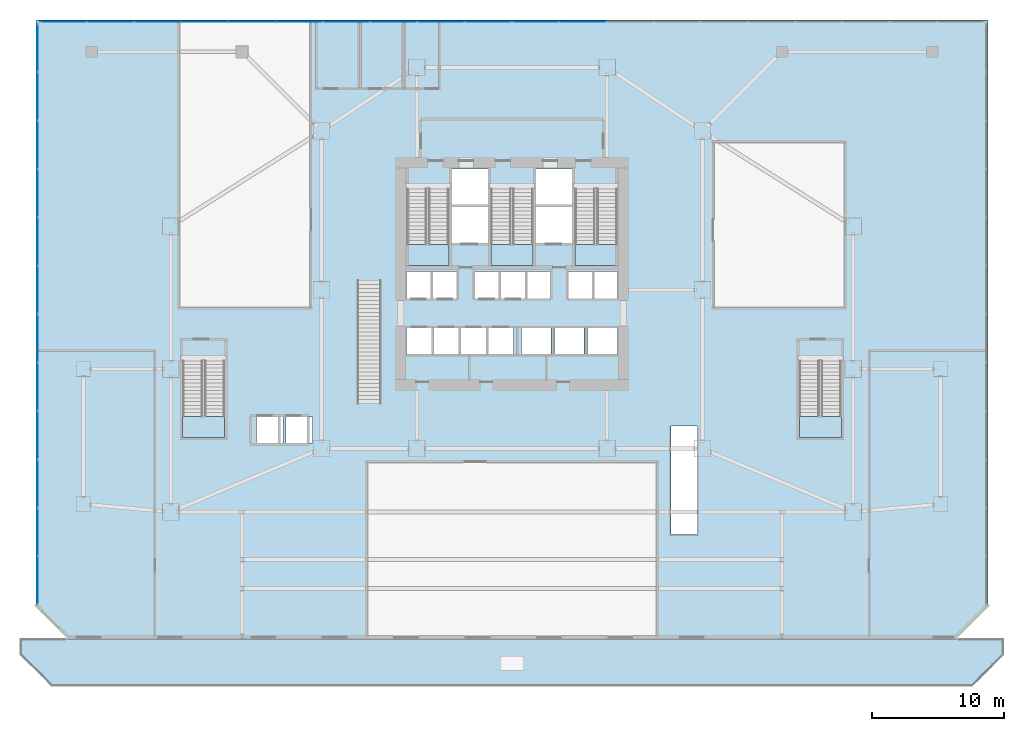
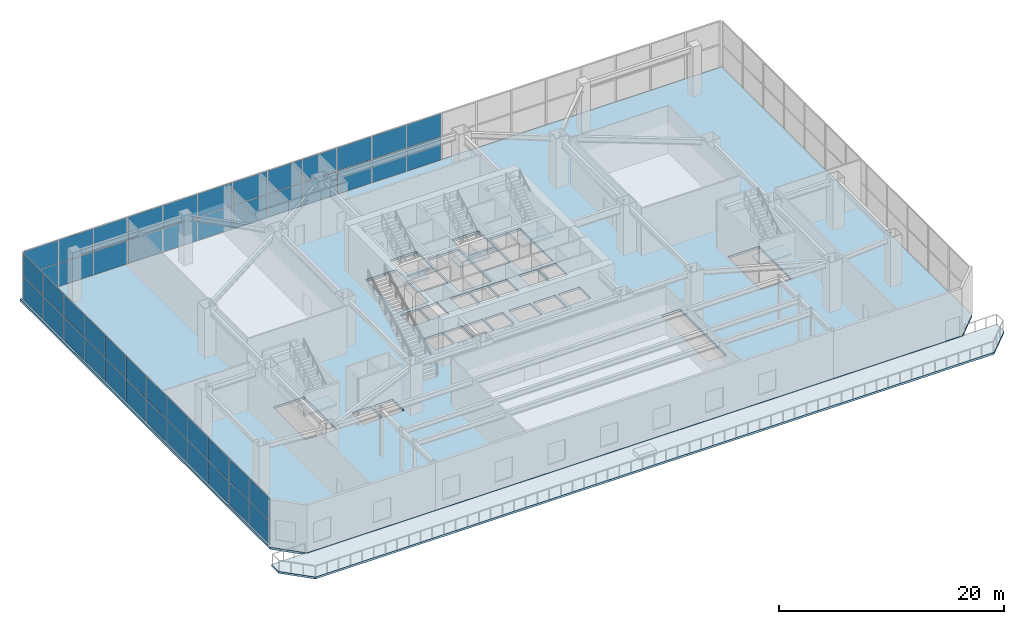
# One storey, part 26 of 37: 48 plates, 7 slabs, 7 elements without a shape of their own.
"""IFC4 building model written with IfcOpenShell, lengths in metres."""

from ifc_helpers import new_model, si_unit, direction, frame, origin, origin_2d, place, context, subcontext, project, spatial, polyline, rectangle, outline, extrude, material, layer, layer_set, type_object, element, aggregate, save


model = new_model("IFC4")

# Units and contexts
model_context = context("Model", 3, precision=1e-05, world=origin(), true_north=direction((0.0, 1.0)))
body_context = subcontext(model_context, "Body", "Model", "MODEL_VIEW")
ifc_project = project(units=[si_unit("LENGTHUNIT", "METRE"), si_unit("AREAUNIT", "SQUARE_METRE"), si_unit("VOLUMEUNIT", "CUBIC_METRE"), si_unit("PLANEANGLEUNIT", "RADIAN"), si_unit("MASSUNIT", "GRAM", prefix="KILO")], contexts=[model_context])

# Site, building, storey
site_placement = place(None, origin())
site = spatial("IfcSite", under=ifc_project, at=site_placement, CompositionType="ELEMENT")
building_placement = place(site_placement, origin())
building = spatial("IfcBuilding", under=site, at=building_placement, Name="Haolan Belvedere Tower", CompositionType="ELEMENT")
storey_placement = place(building_placement, frame((0.0, 0.0, 10.199951171875)))
storey = spatial("IfcBuildingStorey", under=building, at=storey_placement, Name="L02", CompositionType="ELEMENT", Elevation=10.199951171875)

# Curtain wall, plates
ifc_material_1 = material(Name="Anodised champagne-silver aluminium 6063-T6 and Low-E glass", Category="aluminium")
ifc_layer_1 = layer(ifc_material_1, 0.179931640625, Name="Anodised champagne-silver aluminium 6063-T6 and Low-E glass")
ifc_layer_set_1 = layer_set([ifc_layer_1], Name="Anodised champagne-silver aluminium 6063-T6 and Low-E glass")
curtain_wall_type = type_object("IfcCurtainWallType", Name="CW-SYS-01", PredefinedType="NOTDEFINED", material=ifc_layer_set_1)
curtain_wall_1_placement = place(storey_placement, origin())
curtain_wall_1 = element("IfcCurtainWall", 1, at=curtain_wall_1_placement, inside=storey, type_object=curtain_wall_type, Name="L02 CW-SYS-01 ribbon curtain wall 3.1", PredefinedType="NOTDEFINED")
ifc_material_2 = material(Name="Double silver Low-E laminated insulating glass", Category="glass")
ifc_layer_2 = layer(ifc_material_2, 0.028076171875, Name="Double silver Low-E laminated insulating glass")
ifc_layer_set_2 = layer_set([ifc_layer_2], Name="Double silver Low-E laminated insulating glass")
plate_type = type_object("IfcPlateType", Name="CW-SYS-01-PNL", PredefinedType="CURTAIN_PANEL", material=ifc_layer_set_2)
plate_1_placement = place(storey_placement, frame((43.759521484375, 53.8701171875, 0.06005859375), z_axis=(0.0, 0.0, 1.0), x_axis=(-1.0, 0.0, 0.0)))
plate_1 = element("IfcPlate", 2, at=plate_1_placement, type_object=plate_type, Name="CW-01 panel 9.1", PredefinedType="CURTAIN_PANEL", context=body_context, shape_type="SweptSolid", body=[
    extrude(rectangle(XDim=3.508056640625, YDim=0.028076171875, at=origin_2d()), origin(), (0.0, 0.0, 1.0), 2.489990234375),
])
plate_2_placement = place(storey_placement, frame((43.759521484375, 53.8701171875, 2.60986328125), z_axis=(0.0, 0.0, 1.0), x_axis=(-1.0, 0.0, 0.0)))
plate_2 = element("IfcPlate", 3, at=plate_2_placement, type_object=plate_type, Name="CW-01 panel 9.2", PredefinedType="CURTAIN_PANEL", context=body_context, shape_type="SweptSolid", body=[
    extrude(rectangle(XDim=3.508056640625, YDim=0.028076171875, at=origin_2d()), origin(), (0.0, 0.0, 1.0), 2.489990234375),
])
plate_3_placement = place(storey_placement, frame((40.1865234375, 53.8701171875, 0.06005859375), z_axis=(0.0, 0.0, 1.0), x_axis=(-1.0, 0.0, 0.0)))
plate_3 = element("IfcPlate", 4, at=plate_3_placement, type_object=plate_type, Name="CW-01 panel 10.1", PredefinedType="CURTAIN_PANEL", context=body_context, shape_type="SweptSolid", body=[
    extrude(rectangle(XDim=3.508056640625, YDim=0.028076171875, at=origin_2d()), origin(), (0.0, 0.0, 1.0), 2.489990234375),
])
plate_4_placement = place(storey_placement, frame((40.1865234375, 53.8701171875, 2.60986328125), z_axis=(0.0, 0.0, 1.0), x_axis=(-1.0, 0.0, 0.0)))
plate_4 = element("IfcPlate", 5, at=plate_4_placement, type_object=plate_type, Name="CW-01 panel 10.2", PredefinedType="CURTAIN_PANEL", context=body_context, shape_type="SweptSolid", body=[
    extrude(rectangle(XDim=3.508056640625, YDim=0.028076171875, at=origin_2d()), origin(), (0.0, 0.0, 1.0), 2.489990234375),
])
plate_5_placement = place(storey_placement, frame((36.613525390625, 53.8701171875, 0.06005859375), z_axis=(0.0, 0.0, 1.0), x_axis=(-1.0, 0.0, 0.0)))
plate_5 = element("IfcPlate", 6, at=plate_5_placement, type_object=plate_type, Name="CW-01 panel 11.1", PredefinedType="CURTAIN_PANEL", context=body_context, shape_type="SweptSolid", body=[
    extrude(rectangle(XDim=3.508056640625, YDim=0.028076171875, at=origin_2d()), origin(), (0.0, 0.0, 1.0), 2.489990234375),
])
plate_6_placement = place(storey_placement, frame((36.613525390625, 53.8701171875, 2.60986328125), z_axis=(0.0, 0.0, 1.0), x_axis=(-1.0, 0.0, 0.0)))
plate_6 = element("IfcPlate", 7, at=plate_6_placement, type_object=plate_type, Name="CW-01 panel 11.2", PredefinedType="CURTAIN_PANEL", context=body_context, shape_type="SweptSolid", body=[
    extrude(rectangle(XDim=3.508056640625, YDim=0.028076171875, at=origin_2d()), origin(), (0.0, 0.0, 1.0), 2.489990234375),
])
plate_7_placement = place(storey_placement, frame((33.04052734375, 53.8701171875, 0.06005859375), z_axis=(0.0, 0.0, 1.0), x_axis=(-1.0, 0.0, 0.0)))
plate_7 = element("IfcPlate", 8, at=plate_7_placement, type_object=plate_type, Name="CW-01 panel 12.1", PredefinedType="CURTAIN_PANEL", context=body_context, shape_type="SweptSolid", body=[
    extrude(rectangle(XDim=3.508056640625, YDim=0.028076171875, at=origin_2d()), origin(), (0.0, 0.0, 1.0), 2.489990234375),
])
plate_8_placement = place(storey_placement, frame((33.04052734375, 53.8701171875, 2.60986328125), z_axis=(0.0, 0.0, 1.0), x_axis=(-1.0, 0.0, 0.0)))
plate_8 = element("IfcPlate", 9, at=plate_8_placement, type_object=plate_type, Name="CW-01 panel 12.2", PredefinedType="CURTAIN_PANEL", context=body_context, shape_type="SweptSolid", body=[
    extrude(rectangle(XDim=3.508056640625, YDim=0.028076171875, at=origin_2d()), origin(), (0.0, 0.0, 1.0), 2.489990234375),
])
plate_9_placement = place(storey_placement, frame((29.467529296875, 53.8701171875, 0.06005859375), z_axis=(0.0, 0.0, 1.0), x_axis=(-1.0, 0.0, 0.0)))
plate_9 = element("IfcPlate", 10, at=plate_9_placement, type_object=plate_type, Name="CW-01 panel 13.1", PredefinedType="CURTAIN_PANEL", context=body_context, shape_type="SweptSolid", body=[
    extrude(rectangle(XDim=3.508056640625, YDim=0.028076171875, at=origin_2d()), origin(), (0.0, 0.0, 1.0), 2.489990234375),
])
plate_10_placement = place(storey_placement, frame((29.467529296875, 53.8701171875, 2.60986328125), z_axis=(0.0, 0.0, 1.0), x_axis=(-1.0, 0.0, 0.0)))
plate_10 = element("IfcPlate", 11, at=plate_10_placement, type_object=plate_type, Name="CW-01 panel 13.2", PredefinedType="CURTAIN_PANEL", context=body_context, shape_type="SweptSolid", body=[
    extrude(rectangle(XDim=3.508056640625, YDim=0.028076171875, at=origin_2d()), origin(), (0.0, 0.0, 1.0), 2.489990234375),
])
plate_11_placement = place(storey_placement, frame((25.89453125, 53.8701171875, 0.06005859375), z_axis=(0.0, 0.0, 1.0), x_axis=(-1.0, 0.0, 0.0)))
plate_11 = element("IfcPlate", 12, at=plate_11_placement, type_object=plate_type, Name="CW-01 panel 14.1", PredefinedType="CURTAIN_PANEL", context=body_context, shape_type="SweptSolid", body=[
    extrude(rectangle(XDim=3.508056640625, YDim=0.028076171875, at=origin_2d()), origin(), (0.0, 0.0, 1.0), 2.489990234375),
])
plate_12_placement = place(storey_placement, frame((25.89453125, 53.8701171875, 2.60986328125), z_axis=(0.0, 0.0, 1.0), x_axis=(-1.0, 0.0, 0.0)))
plate_12 = element("IfcPlate", 13, at=plate_12_placement, type_object=plate_type, Name="CW-01 panel 14.2", PredefinedType="CURTAIN_PANEL", context=body_context, shape_type="SweptSolid", body=[
    extrude(rectangle(XDim=3.508056640625, YDim=0.028076171875, at=origin_2d()), origin(), (0.0, 0.0, 1.0), 2.489990234375),
])
plate_13_placement = place(storey_placement, frame((22.321533203125, 53.8701171875, 0.06005859375), z_axis=(0.0, 0.0, 1.0), x_axis=(-1.0, 0.0, 0.0)))
plate_13 = element("IfcPlate", 14, at=plate_13_placement, type_object=plate_type, Name="CW-01 panel 15.1", PredefinedType="CURTAIN_PANEL", context=body_context, shape_type="SweptSolid", body=[
    extrude(rectangle(XDim=3.508056640625, YDim=0.028076171875, at=origin_2d()), origin(), (0.0, 0.0, 1.0), 2.489990234375),
])
plate_14_placement = place(storey_placement, frame((22.321533203125, 53.8701171875, 2.60986328125), z_axis=(0.0, 0.0, 1.0), x_axis=(-1.0, 0.0, 0.0)))
plate_14 = element("IfcPlate", 15, at=plate_14_placement, type_object=plate_type, Name="CW-01 panel 15.2", PredefinedType="CURTAIN_PANEL", context=body_context, shape_type="SweptSolid", body=[
    extrude(rectangle(XDim=3.508056640625, YDim=0.028076171875, at=origin_2d()), origin(), (0.0, 0.0, 1.0), 2.489990234375),
])
plate_15_placement = place(storey_placement, frame((18.74853515625, 53.8701171875, 0.06005859375), z_axis=(0.0, 0.0, 1.0), x_axis=(-1.0, 0.0, 0.0)))
plate_15 = element("IfcPlate", 16, at=plate_15_placement, type_object=plate_type, Name="CW-01 panel 16.1", PredefinedType="CURTAIN_PANEL", context=body_context, shape_type="SweptSolid", body=[
    extrude(rectangle(XDim=3.508056640625, YDim=0.028076171875, at=origin_2d()), origin(), (0.0, 0.0, 1.0), 2.489990234375),
])
plate_16_placement = place(storey_placement, frame((18.74853515625, 53.8701171875, 2.60986328125), z_axis=(0.0, 0.0, 1.0), x_axis=(-1.0, 0.0, 0.0)))
plate_16 = element("IfcPlate", 17, at=plate_16_placement, type_object=plate_type, Name="CW-01 panel 16.2", PredefinedType="CURTAIN_PANEL", context=body_context, shape_type="SweptSolid", body=[
    extrude(rectangle(XDim=3.508056640625, YDim=0.028076171875, at=origin_2d()), origin(), (0.0, 0.0, 1.0), 2.489990234375),
])
plate_17_placement = place(storey_placement, frame((15.175537109375, 53.8701171875, 0.06005859375), z_axis=(0.0, 0.0, 1.0), x_axis=(-1.0, 0.0, 0.0)))
plate_17 = element("IfcPlate", 18, at=plate_17_placement, type_object=plate_type, Name="CW-01 panel 17.1", PredefinedType="CURTAIN_PANEL", context=body_context, shape_type="SweptSolid", body=[
    extrude(rectangle(XDim=3.508056640625, YDim=0.028076171875, at=origin_2d()), origin(), (0.0, 0.0, 1.0), 2.489990234375),
])
plate_18_placement = place(storey_placement, frame((15.175537109375, 53.8701171875, 2.60986328125), z_axis=(0.0, 0.0, 1.0), x_axis=(-1.0, 0.0, 0.0)))
plate_18 = element("IfcPlate", 19, at=plate_18_placement, type_object=plate_type, Name="CW-01 panel 17.2", PredefinedType="CURTAIN_PANEL", context=body_context, shape_type="SweptSolid", body=[
    extrude(rectangle(XDim=3.508056640625, YDim=0.028076171875, at=origin_2d()), origin(), (0.0, 0.0, 1.0), 2.489990234375),
])
plate_19_placement = place(storey_placement, frame((11.6025390625, 53.8701171875, 0.06005859375), z_axis=(0.0, 0.0, 1.0), x_axis=(-1.0, 0.0, 0.0)))
plate_19 = element("IfcPlate", 20, at=plate_19_placement, type_object=plate_type, Name="CW-01 panel 18.1", PredefinedType="CURTAIN_PANEL", context=body_context, shape_type="SweptSolid", body=[
    extrude(rectangle(XDim=3.508056640625, YDim=0.028076171875, at=origin_2d()), origin(), (0.0, 0.0, 1.0), 2.489990234375),
])
plate_20_placement = place(storey_placement, frame((11.6025390625, 53.8701171875, 2.60986328125), z_axis=(0.0, 0.0, 1.0), x_axis=(-1.0, 0.0, 0.0)))
plate_20 = element("IfcPlate", 21, at=plate_20_placement, type_object=plate_type, Name="CW-01 panel 18.2", PredefinedType="CURTAIN_PANEL", context=body_context, shape_type="SweptSolid", body=[
    extrude(rectangle(XDim=3.508056640625, YDim=0.028076171875, at=origin_2d()), origin(), (0.0, 0.0, 1.0), 2.489990234375),
])
plate_21_placement = place(storey_placement, frame((8.029541015625, 53.8701171875, 0.06005859375), z_axis=(0.0, 0.0, 1.0), x_axis=(-1.0, 0.0, 0.0)))
plate_21 = element("IfcPlate", 22, at=plate_21_placement, type_object=plate_type, Name="CW-01 panel 19.1", PredefinedType="CURTAIN_PANEL", context=body_context, shape_type="SweptSolid", body=[
    extrude(rectangle(XDim=3.508056640625, YDim=0.028076171875, at=origin_2d()), origin(), (0.0, 0.0, 1.0), 2.489990234375),
])
plate_22_placement = place(storey_placement, frame((8.029541015625, 53.8701171875, 2.60986328125), z_axis=(0.0, 0.0, 1.0), x_axis=(-1.0, 0.0, 0.0)))
plate_22 = element("IfcPlate", 23, at=plate_22_placement, type_object=plate_type, Name="CW-01 panel 19.2", PredefinedType="CURTAIN_PANEL", context=body_context, shape_type="SweptSolid", body=[
    extrude(rectangle(XDim=3.508056640625, YDim=0.028076171875, at=origin_2d()), origin(), (0.0, 0.0, 1.0), 2.489990234375),
])
plate_23_placement = place(storey_placement, frame((4.47265625, 53.8701171875, 0.06005859375), z_axis=(0.0, 0.0, 1.0), x_axis=(-1.0, 0.0, 0.0)))
plate_23 = element("IfcPlate", 24, at=plate_23_placement, type_object=plate_type, Name="CW-01 panel 20.1", PredefinedType="CURTAIN_PANEL", context=body_context, shape_type="SweptSolid", body=[
    extrude(rectangle(XDim=3.4755859375, YDim=0.028076171875, at=origin_2d()), origin(), (0.0, 0.0, 1.0), 2.489990234375),
])
plate_24_placement = place(storey_placement, frame((4.47265625, 53.8701171875, 2.60986328125), z_axis=(0.0, 0.0, 1.0), x_axis=(-1.0, 0.0, 0.0)))
plate_24 = element("IfcPlate", 25, at=plate_24_placement, type_object=plate_type, Name="CW-01 panel 20.2", PredefinedType="CURTAIN_PANEL", context=body_context, shape_type="SweptSolid", body=[
    extrude(rectangle(XDim=3.4755859375, YDim=0.028076171875, at=origin_2d()), origin(), (0.0, 0.0, 1.0), 2.489990234375),
])
aggregate(curtain_wall_1, [plate_1, plate_2, plate_3, plate_4, plate_5, plate_6, plate_7, plate_8, plate_9, plate_10, plate_11, plate_12, plate_13, plate_14, plate_15, plate_16, plate_17, plate_18, plate_19, plate_20, plate_21, plate_22, plate_23, plate_24])

curtain_wall_2_placement = place(storey_placement, origin())
curtain_wall_2 = element("IfcCurtainWall", 26, at=curtain_wall_2_placement, inside=storey, type_object=curtain_wall_type, Name="L02 CW-SYS-01 ribbon curtain wall 4.1", PredefinedType="NOTDEFINED")
plate_25_placement = place(storey_placement, frame((2.530029296875, 51.883056640625, 0.06005859375), z_axis=(0.0, 0.0, 1.0), x_axis=(0.0, -1.0, 0.0)))
plate_25 = element("IfcPlate", 27, at=plate_25_placement, type_object=plate_type, Name="CW-01 panel 1.1", PredefinedType="CURTAIN_PANEL", context=body_context, shape_type="SweptSolid", body=[
    extrude(rectangle(XDim=3.56396484375, YDim=0.028076171875, at=origin_2d()), origin(), (0.0, 0.0, 1.0), 2.489990234375),
])
plate_26_placement = place(storey_placement, frame((2.530029296875, 51.883056640625, 2.60986328125), z_axis=(0.0, 0.0, 1.0), x_axis=(0.0, -1.0, 0.0)))
plate_26 = element("IfcPlate", 28, at=plate_26_placement, type_object=plate_type, Name="CW-01 panel 1.2", PredefinedType="CURTAIN_PANEL", context=body_context, shape_type="SweptSolid", body=[
    extrude(rectangle(XDim=3.56396484375, YDim=0.028076171875, at=origin_2d()), origin(), (0.0, 0.0, 1.0), 2.489990234375),
])
plate_27_placement = place(storey_placement, frame((2.530029296875, 48.238037109375, 0.06005859375), z_axis=(0.0, 0.0, 1.0), x_axis=(0.0, -1.0, 0.0)))
plate_27 = element("IfcPlate", 29, at=plate_27_placement, type_object=plate_type, Name="CW-01 panel 2.1", PredefinedType="CURTAIN_PANEL", context=body_context, shape_type="SweptSolid", body=[
    extrude(rectangle(XDim=3.596435546875, YDim=0.028076171875, at=origin_2d()), origin(), (0.0, 0.0, 1.0), 2.489990234375),
])
plate_28_placement = place(storey_placement, frame((2.530029296875, 48.238037109375, 2.60986328125), z_axis=(0.0, 0.0, 1.0), x_axis=(0.0, -1.0, 0.0)))
plate_28 = element("IfcPlate", 30, at=plate_28_placement, type_object=plate_type, Name="CW-01 panel 2.2", PredefinedType="CURTAIN_PANEL", context=body_context, shape_type="SweptSolid", body=[
    extrude(rectangle(XDim=3.596435546875, YDim=0.028076171875, at=origin_2d()), origin(), (0.0, 0.0, 1.0), 2.489990234375),
])
plate_29_placement = place(storey_placement, frame((2.530029296875, 44.57666015625, 0.06005859375), z_axis=(0.0, 0.0, 1.0), x_axis=(0.0, -1.0, 0.0)))
plate_29 = element("IfcPlate", 31, at=plate_29_placement, type_object=plate_type, Name="CW-01 panel 3.1", PredefinedType="CURTAIN_PANEL", context=body_context, shape_type="SweptSolid", body=[
    extrude(rectangle(XDim=3.596435546875, YDim=0.028076171875, at=origin_2d()), origin(), (0.0, 0.0, 1.0), 2.489990234375),
])
plate_30_placement = place(storey_placement, frame((2.530029296875, 44.57666015625, 2.60986328125), z_axis=(0.0, 0.0, 1.0), x_axis=(0.0, -1.0, 0.0)))
plate_30 = element("IfcPlate", 32, at=plate_30_placement, type_object=plate_type, Name="CW-01 panel 3.2", PredefinedType="CURTAIN_PANEL", context=body_context, shape_type="SweptSolid", body=[
    extrude(rectangle(XDim=3.596435546875, YDim=0.028076171875, at=origin_2d()), origin(), (0.0, 0.0, 1.0), 2.489990234375),
])
plate_31_placement = place(storey_placement, frame((2.530029296875, 40.915283203125, 0.06005859375), z_axis=(0.0, 0.0, 1.0), x_axis=(0.0, -1.0, 0.0)))
plate_31 = element("IfcPlate", 33, at=plate_31_placement, type_object=plate_type, Name="CW-01 panel 4.1", PredefinedType="CURTAIN_PANEL", context=body_context, shape_type="SweptSolid", body=[
    extrude(rectangle(XDim=3.596435546875, YDim=0.028076171875, at=origin_2d()), origin(), (0.0, 0.0, 1.0), 2.489990234375),
])
plate_32_placement = place(storey_placement, frame((2.530029296875, 40.915283203125, 2.60986328125), z_axis=(0.0, 0.0, 1.0), x_axis=(0.0, -1.0, 0.0)))
plate_32 = element("IfcPlate", 34, at=plate_32_placement, type_object=plate_type, Name="CW-01 panel 4.2", PredefinedType="CURTAIN_PANEL", context=body_context, shape_type="SweptSolid", body=[
    extrude(rectangle(XDim=3.596435546875, YDim=0.028076171875, at=origin_2d()), origin(), (0.0, 0.0, 1.0), 2.489990234375),
])
plate_33_placement = place(storey_placement, frame((2.530029296875, 37.25390625, 0.06005859375), z_axis=(0.0, 0.0, 1.0), x_axis=(0.0, -1.0, 0.0)))
plate_33 = element("IfcPlate", 35, at=plate_33_placement, type_object=plate_type, Name="CW-01 panel 5.1", PredefinedType="CURTAIN_PANEL", context=body_context, shape_type="SweptSolid", body=[
    extrude(rectangle(XDim=3.596435546875, YDim=0.028076171875, at=origin_2d()), origin(), (0.0, 0.0, 1.0), 2.489990234375),
])
plate_34_placement = place(storey_placement, frame((2.530029296875, 37.25390625, 2.60986328125), z_axis=(0.0, 0.0, 1.0), x_axis=(0.0, -1.0, 0.0)))
plate_34 = element("IfcPlate", 36, at=plate_34_placement, type_object=plate_type, Name="CW-01 panel 5.2", PredefinedType="CURTAIN_PANEL", context=body_context, shape_type="SweptSolid", body=[
    extrude(rectangle(XDim=3.596435546875, YDim=0.028076171875, at=origin_2d()), origin(), (0.0, 0.0, 1.0), 2.489990234375),
])
plate_35_placement = place(storey_placement, frame((2.530029296875, 33.592529296875, 0.06005859375), z_axis=(0.0, 0.0, 1.0), x_axis=(0.0, -1.0, 0.0)))
plate_35 = element("IfcPlate", 37, at=plate_35_placement, type_object=plate_type, Name="CW-01 panel 6.1", PredefinedType="CURTAIN_PANEL", context=body_context, shape_type="SweptSolid", body=[
    extrude(rectangle(XDim=3.596435546875, YDim=0.028076171875, at=origin_2d()), origin(), (0.0, 0.0, 1.0), 2.489990234375),
])
plate_36_placement = place(storey_placement, frame((2.530029296875, 33.592529296875, 2.60986328125), z_axis=(0.0, 0.0, 1.0), x_axis=(0.0, -1.0, 0.0)))
plate_36 = element("IfcPlate", 38, at=plate_36_placement, type_object=plate_type, Name="CW-01 panel 6.2", PredefinedType="CURTAIN_PANEL", context=body_context, shape_type="SweptSolid", body=[
    extrude(rectangle(XDim=3.596435546875, YDim=0.028076171875, at=origin_2d()), origin(), (0.0, 0.0, 1.0), 2.489990234375),
])
plate_37_placement = place(storey_placement, frame((2.530029296875, 29.93115234375, 0.06005859375), z_axis=(0.0, 0.0, 1.0), x_axis=(0.0, -1.0, 0.0)))
plate_37 = element("IfcPlate", 39, at=plate_37_placement, type_object=plate_type, Name="CW-01 panel 7.1", PredefinedType="CURTAIN_PANEL", context=body_context, shape_type="SweptSolid", body=[
    extrude(rectangle(XDim=3.596435546875, YDim=0.028076171875, at=origin_2d()), origin(), (0.0, 0.0, 1.0), 2.489990234375),
])
plate_38_placement = place(storey_placement, frame((2.530029296875, 29.93115234375, 2.60986328125), z_axis=(0.0, 0.0, 1.0), x_axis=(0.0, -1.0, 0.0)))
plate_38 = element("IfcPlate", 40, at=plate_38_placement, type_object=plate_type, Name="CW-01 panel 7.2", PredefinedType="CURTAIN_PANEL", context=body_context, shape_type="SweptSolid", body=[
    extrude(rectangle(XDim=3.596435546875, YDim=0.028076171875, at=origin_2d()), origin(), (0.0, 0.0, 1.0), 2.489990234375),
])
plate_39_placement = place(storey_placement, frame((2.530029296875, 26.269775390625, 0.06005859375), z_axis=(0.0, 0.0, 1.0), x_axis=(0.0, -1.0, 0.0)))
plate_39 = element("IfcPlate", 41, at=plate_39_placement, type_object=plate_type, Name="CW-01 panel 8.1", PredefinedType="CURTAIN_PANEL", context=body_context, shape_type="SweptSolid", body=[
    extrude(rectangle(XDim=3.596435546875, YDim=0.028076171875, at=origin_2d()), origin(), (0.0, 0.0, 1.0), 2.489990234375),
])
plate_40_placement = place(storey_placement, frame((2.530029296875, 26.269775390625, 2.60986328125), z_axis=(0.0, 0.0, 1.0), x_axis=(0.0, -1.0, 0.0)))
plate_40 = element("IfcPlate", 42, at=plate_40_placement, type_object=plate_type, Name="CW-01 panel 8.2", PredefinedType="CURTAIN_PANEL", context=body_context, shape_type="SweptSolid", body=[
    extrude(rectangle(XDim=3.596435546875, YDim=0.028076171875, at=origin_2d()), origin(), (0.0, 0.0, 1.0), 2.489990234375),
])
plate_41_placement = place(storey_placement, frame((2.530029296875, 22.608642578125, 0.06005859375), z_axis=(0.0, 0.0, 1.0), x_axis=(0.0, -1.0, 0.0)))
plate_41 = element("IfcPlate", 43, at=plate_41_placement, type_object=plate_type, Name="CW-01 panel 9.1", PredefinedType="CURTAIN_PANEL", context=body_context, shape_type="SweptSolid", body=[
    extrude(rectangle(XDim=3.596435546875, YDim=0.028076171875, at=origin_2d()), origin(), (0.0, 0.0, 1.0), 2.489990234375),
])
plate_42_placement = place(storey_placement, frame((2.530029296875, 22.608642578125, 2.60986328125), z_axis=(0.0, 0.0, 1.0), x_axis=(0.0, -1.0, 0.0)))
plate_42 = element("IfcPlate", 44, at=plate_42_placement, type_object=plate_type, Name="CW-01 panel 9.2", PredefinedType="CURTAIN_PANEL", context=body_context, shape_type="SweptSolid", body=[
    extrude(rectangle(XDim=3.596435546875, YDim=0.028076171875, at=origin_2d()), origin(), (0.0, 0.0, 1.0), 2.489990234375),
])
plate_43_placement = place(storey_placement, frame((2.530029296875, 18.947265625, 0.06005859375), z_axis=(0.0, 0.0, 1.0), x_axis=(0.0, -1.0, 0.0)))
plate_43 = element("IfcPlate", 45, at=plate_43_placement, type_object=plate_type, Name="CW-01 panel 10.1", PredefinedType="CURTAIN_PANEL", context=body_context, shape_type="SweptSolid", body=[
    extrude(rectangle(XDim=3.596435546875, YDim=0.028076171875, at=origin_2d()), origin(), (0.0, 0.0, 1.0), 2.489990234375),
])
plate_44_placement = place(storey_placement, frame((2.530029296875, 18.947265625, 2.60986328125), z_axis=(0.0, 0.0, 1.0), x_axis=(0.0, -1.0, 0.0)))
plate_44 = element("IfcPlate", 46, at=plate_44_placement, type_object=plate_type, Name="CW-01 panel 10.2", PredefinedType="CURTAIN_PANEL", context=body_context, shape_type="SweptSolid", body=[
    extrude(rectangle(XDim=3.596435546875, YDim=0.028076171875, at=origin_2d()), origin(), (0.0, 0.0, 1.0), 2.489990234375),
])
plate_45_placement = place(storey_placement, frame((2.530029296875, 15.285888671875, 0.06005859375), z_axis=(0.0, 0.0, 1.0), x_axis=(0.0, -1.0, 0.0)))
plate_45 = element("IfcPlate", 47, at=plate_45_placement, type_object=plate_type, Name="CW-01 panel 11.1", PredefinedType="CURTAIN_PANEL", context=body_context, shape_type="SweptSolid", body=[
    extrude(rectangle(XDim=3.596435546875, YDim=0.028076171875, at=origin_2d()), origin(), (0.0, 0.0, 1.0), 2.489990234375),
])
plate_46_placement = place(storey_placement, frame((2.530029296875, 15.285888671875, 2.60986328125), z_axis=(0.0, 0.0, 1.0), x_axis=(0.0, -1.0, 0.0)))
plate_46 = element("IfcPlate", 48, at=plate_46_placement, type_object=plate_type, Name="CW-01 panel 11.2", PredefinedType="CURTAIN_PANEL", context=body_context, shape_type="SweptSolid", body=[
    extrude(rectangle(XDim=3.596435546875, YDim=0.028076171875, at=origin_2d()), origin(), (0.0, 0.0, 1.0), 2.489990234375),
])
plate_47_placement = place(storey_placement, frame((2.530029296875, 11.640625, 0.06005859375), z_axis=(0.0, 0.0, 1.0), x_axis=(0.0, -1.0, 0.0)))
plate_47 = element("IfcPlate", 49, at=plate_47_placement, type_object=plate_type, Name="CW-01 panel 12.1", PredefinedType="CURTAIN_PANEL", context=body_context, shape_type="SweptSolid", body=[
    extrude(rectangle(XDim=3.56396484375, YDim=0.028076171875, at=origin_2d()), origin(), (0.0, 0.0, 1.0), 2.489990234375),
])
plate_48_placement = place(storey_placement, frame((2.530029296875, 11.640625, 2.60986328125), z_axis=(0.0, 0.0, 1.0), x_axis=(0.0, -1.0, 0.0)))
plate_48 = element("IfcPlate", 50, at=plate_48_placement, type_object=plate_type, Name="CW-01 panel 12.2", PredefinedType="CURTAIN_PANEL", context=body_context, shape_type="SweptSolid", body=[
    extrude(rectangle(XDim=3.56396484375, YDim=0.028076171875, at=origin_2d()), origin(), (0.0, 0.0, 1.0), 2.489990234375),
])
aggregate(curtain_wall_2, [plate_25, plate_26, plate_27, plate_28, plate_29, plate_30, plate_31, plate_32, plate_33, plate_34, plate_35, plate_36, plate_37, plate_38, plate_39, plate_40, plate_41, plate_42, plate_43, plate_44, plate_45, plate_46, plate_47, plate_48])

# Slab
ifc_material_3 = material(Name="Concrete C40/50", Category="concrete")
ifc_layer_3 = layer(ifc_material_3, 0.239990234375, Name="Concrete C40/50")
ifc_layer_set_3 = layer_set([ifc_layer_3], Name="Concrete C40/50")
slab_type_1 = type_object("IfcSlabType", Name="SL-FLR-240", PredefinedType="FLOOR", material=ifc_layer_set_3)
slab_1_placement = place(storey_placement, frame((0.0, 0.0, -0.239990234375)))
element("IfcSlab", 51, at=slab_1_placement, inside=storey, type_object=slab_type_1, Name="L02 structural floor slab", PredefinedType="FLOOR", context=body_context, shape_type="SweptSolid", body=[
    extrude(outline(polyline([(4.800048828125, 7.199951171875), (72.0, 7.199951171875), (74.39990234375, 9.60009765625), (74.39990234375, 54.0), (2.39990234375, 54.0), (2.39990234375, 9.60009765625), (4.800048828125, 7.199951171875)]), holes=[polyline([(30.449951171875, 41.22998046875), (30.449951171875, 35.449951171875), (33.6298828125, 35.449951171875), (33.6298828125, 41.22998046875), (30.449951171875, 41.22998046875)]), polyline([(36.81005859375, 41.22998046875), (36.81005859375, 35.449951171875), (39.989990234375, 35.449951171875), (39.989990234375, 41.22998046875), (36.81005859375, 41.22998046875)]), polyline([(43.169921875, 41.22998046875), (43.169921875, 35.449951171875), (46.35009765625, 35.449951171875), (46.35009765625, 41.22998046875), (43.169921875, 41.22998046875)]), polyline([(13.5, 28.22998046875), (13.5, 22.449951171875), (16.679931640625, 22.449951171875), (16.679931640625, 28.22998046875), (13.5, 28.22998046875)]), polyline([(60.1201171875, 28.22998046875), (60.1201171875, 22.449951171875), (63.300048828125, 22.449951171875), (63.300048828125, 28.22998046875), (60.1201171875, 28.22998046875)]), polyline([(50.419921875, 15.080078125), (52.3798828125, 15.080078125), (52.3798828125, 23.284912109375), (50.419921875, 23.284912109375), (50.419921875, 15.080078125)]), polyline([(33.830078125, 40.050048828125), (36.610107421875, 40.050048828125), (36.610107421875, 42.75), (33.830078125, 42.75), (33.830078125, 40.050048828125)]), polyline([(33.830078125, 37.14990234375), (36.610107421875, 37.14990234375), (36.610107421875, 39.85009765625), (33.830078125, 39.85009765625), (33.830078125, 37.14990234375)]), polyline([(40.18994140625, 40.050048828125), (42.969970703125, 40.050048828125), (42.969970703125, 42.75), (40.18994140625, 42.75), (40.18994140625, 40.050048828125)]), polyline([(40.18994140625, 37.14990234375), (42.969970703125, 37.14990234375), (42.969970703125, 39.85009765625), (40.18994140625, 39.85009765625), (40.18994140625, 37.14990234375)]), polyline([(30.419921875, 32.949951171875), (32.27001953125, 32.949951171875), (32.27001953125, 35.0), (30.419921875, 35.0), (30.419921875, 32.949951171875)]), polyline([(32.409912109375, 32.949951171875), (34.260009765625, 32.949951171875), (34.260009765625, 35.0), (32.409912109375, 35.0), (32.409912109375, 32.949951171875)]), polyline([(35.56005859375, 32.949951171875), (37.409912109375, 32.949951171875), (37.409912109375, 35.0), (35.56005859375, 35.0), (35.56005859375, 32.949951171875)]), polyline([(37.550048828125, 32.949951171875), (39.39990234375, 32.949951171875), (39.39990234375, 35.0), (37.550048828125, 35.0), (37.550048828125, 32.949951171875)]), polyline([(39.5400390625, 32.949951171875), (41.389892578125, 32.949951171875), (41.389892578125, 35.0), (39.5400390625, 35.0), (39.5400390625, 32.949951171875)]), polyline([(42.6201171875, 32.949951171875), (44.469970703125, 32.949951171875), (44.469970703125, 35.0), (42.6201171875, 35.0), (42.6201171875, 32.949951171875)]), polyline([(44.580078125, 32.949951171875), (46.3798828125, 32.949951171875), (46.3798828125, 35.0), (44.580078125, 35.0), (44.580078125, 32.949951171875)]), polyline([(30.419921875, 28.75), (32.320068359375, 28.75), (32.320068359375, 30.75), (30.419921875, 30.75), (30.419921875, 28.75)]), polyline([(32.47998046875, 28.75), (34.3798828125, 28.75), (34.3798828125, 30.75), (32.47998046875, 30.75), (32.47998046875, 28.75)]), polyline([(34.5400390625, 28.75), (36.43994140625, 28.75), (36.43994140625, 30.75), (34.5400390625, 30.75), (34.5400390625, 28.75)]), polyline([(36.60009765625, 28.75), (38.5, 28.75), (38.5, 30.75), (36.60009765625, 30.75), (36.60009765625, 28.75)]), polyline([(39.10009765625, 28.75), (41.340087890625, 28.75), (41.340087890625, 30.75), (39.10009765625, 30.75), (39.10009765625, 28.75)]), polyline([(41.610107421875, 28.75), (43.85009765625, 28.75), (43.85009765625, 30.75), (41.610107421875, 30.75), (41.610107421875, 28.75)]), polyline([(44.1201171875, 28.75), (46.360107421875, 28.75), (46.360107421875, 30.75), (44.1201171875, 30.75), (44.1201171875, 28.75)]), polyline([(19.10009765625, 22.0), (21.10009765625, 22.0), (21.10009765625, 24.0), (19.10009765625, 24.0), (19.10009765625, 22.0)]), polyline([(21.300048828125, 22.0), (23.300048828125, 22.0), (23.300048828125, 24.0), (21.300048828125, 24.0), (21.300048828125, 22.0)])]), origin(), (0.0, 0.0, 1.0), 0.239990234375),
])

# Stair, slab
stair_type = type_object("IfcStairType", Name="STR-DL-32R-169", PredefinedType="HALF_TURN_STAIR", material=ifc_material_3)
stair_1_placement = place(storey_placement, origin())
stair_1 = element("IfcStair", 52, at=stair_1_placement, inside=storey, type_object=stair_type, Name="L02 Smokeproof Core Exit Stair ST1", PredefinedType="HALF_TURN_STAIR")
ifc_layer_4 = layer(ifc_material_3, 0.199951171875, Name="Concrete C40/50")
ifc_layer_set_4 = layer_set([ifc_layer_4], Name="Concrete C40/50")
slab_type_2 = type_object("IfcSlabType", Name="SL-LAND-200", PredefinedType="LANDING", material=ifc_layer_set_4)
slab_2_placement = place(storey_placement, frame((0.0, 0.0, 2.5)))
slab_2 = element("IfcSlab", 53, at=slab_2_placement, type_object=slab_type_2, Name="ST1 landing 1", PredefinedType="LANDING", context=body_context, shape_type="SweptSolid", body=[
    extrude(outline(polyline([(30.449951171875, 37.030029296875), (30.449951171875, 35.449951171875), (33.6298828125, 35.449951171875), (33.6298828125, 37.030029296875), (30.449951171875, 37.030029296875)])), origin(), (0.0, 0.0, 1.0), 0.199951171875),
])
aggregate(stair_1, [slab_2])

stair_2_placement = place(storey_placement, origin())
stair_2 = element("IfcStair", 54, at=stair_2_placement, inside=storey, type_object=stair_type, Name="L02 Smokeproof Core Exit Stair ST3", PredefinedType="HALF_TURN_STAIR")
slab_3_placement = place(storey_placement, frame((0.0, 0.0, 2.5)))
slab_3 = element("IfcSlab", 55, at=slab_3_placement, type_object=slab_type_2, Name="ST3 landing 1", PredefinedType="LANDING", context=body_context, shape_type="SweptSolid", body=[
    extrude(outline(polyline([(36.81005859375, 37.030029296875), (36.81005859375, 35.449951171875), (39.989990234375, 35.449951171875), (39.989990234375, 37.030029296875), (36.81005859375, 37.030029296875)])), origin(), (0.0, 0.0, 1.0), 0.199951171875),
])
aggregate(stair_2, [slab_3])

stair_3_placement = place(storey_placement, origin())
stair_3 = element("IfcStair", 56, at=stair_3_placement, inside=storey, type_object=stair_type, Name="L02 Smokeproof Core Exit Stair ST2", PredefinedType="HALF_TURN_STAIR")
slab_4_placement = place(storey_placement, frame((0.0, 0.0, 2.5)))
slab_4 = element("IfcSlab", 57, at=slab_4_placement, type_object=slab_type_2, Name="ST2 landing 1", PredefinedType="LANDING", context=body_context, shape_type="SweptSolid", body=[
    extrude(outline(polyline([(43.169921875, 37.030029296875), (43.169921875, 35.449951171875), (46.35009765625, 35.449951171875), (46.35009765625, 37.030029296875), (43.169921875, 37.030029296875)])), origin(), (0.0, 0.0, 1.0), 0.199951171875),
])
aggregate(stair_3, [slab_4])

stair_4_placement = place(storey_placement, origin())
stair_4 = element("IfcStair", 58, at=stair_4_placement, inside=storey, type_object=stair_type, Name="L02 West Podium Protected Exit Stair ST4", PredefinedType="HALF_TURN_STAIR")
slab_5_placement = place(storey_placement, frame((0.0, 0.0, 2.5)))
slab_5 = element("IfcSlab", 59, at=slab_5_placement, type_object=slab_type_2, Name="ST4 landing 1", PredefinedType="LANDING", context=body_context, shape_type="SweptSolid", body=[
    extrude(outline(polyline([(13.5, 24.030029296875), (13.5, 22.449951171875), (16.679931640625, 22.449951171875), (16.679931640625, 24.030029296875), (13.5, 24.030029296875)])), origin(), (0.0, 0.0, 1.0), 0.199951171875),
])
aggregate(stair_4, [slab_5])

stair_5_placement = place(storey_placement, origin())
stair_5 = element("IfcStair", 60, at=stair_5_placement, inside=storey, type_object=stair_type, Name="L02 East Podium Protected Exit Stair ST5", PredefinedType="HALF_TURN_STAIR")
slab_6_placement = place(storey_placement, frame((0.0, 0.0, 2.5)))
slab_6 = element("IfcSlab", 61, at=slab_6_placement, type_object=slab_type_2, Name="ST5 landing 1", PredefinedType="LANDING", context=body_context, shape_type="SweptSolid", body=[
    extrude(outline(polyline([(60.1201171875, 24.030029296875), (60.1201171875, 22.449951171875), (63.300048828125, 22.449951171875), (63.300048828125, 24.030029296875), (60.1201171875, 24.030029296875)])), origin(), (0.0, 0.0, 1.0), 0.199951171875),
])
aggregate(stair_5, [slab_6])

# Slab
ifc_layer_5 = layer(ifc_material_3, 0.219970703125, Name="Concrete C40/50")
ifc_layer_set_5 = layer_set([ifc_layer_5], Name="Concrete C40/50")
slab_type_3 = type_object("IfcSlabType", Name="SL-TER-220", PredefinedType="FLOOR", material=ifc_layer_set_5)
slab_7_placement = place(storey_placement, frame((0.0, 0.0, -0.239990234375)))
element("IfcSlab", 62, at=slab_7_placement, inside=storey, type_object=slab_type_3, Name="L02 planted garden terrace slab 1", PredefinedType="FLOOR", context=body_context, shape_type="SweptSolid", body=[
    extrude(outline(polyline([(75.60009765625, 7.25), (72.120849609375, 7.25), (72.03662109375, 7.166015625), (72.0341796875, 7.163818359375), (72.02978515625, 7.159912109375), (72.025634765625, 7.1572265625), (72.021240234375, 7.15478515625), (72.016845703125, 7.153076171875), (72.01220703125, 7.151611328125), (72.00732421875, 7.150634765625), (72.00146484375, 7.150146484375), (71.998291015625, 7.14990234375), (4.8017578125, 7.14990234375), (4.798583984375, 7.150146484375), (4.792724609375, 7.150634765625), (4.787841796875, 7.151611328125), (4.783203125, 7.153076171875), (4.77880859375, 7.15478515625), (4.7744140625, 7.1572265625), (4.770263671875, 7.159912109375), (4.765625, 7.163818359375), (4.76318359375, 7.166015625), (4.67919921875, 7.25), (1.199951171875, 7.25), (1.199951171875, 6.0), (3.60009765625, 3.60009765625), (73.199951171875, 3.60009765625), (75.60009765625, 6.0), (75.60009765625, 7.25)])), origin(), (0.0, 0.0, 1.0), 0.219970703125),
])

save(model, "model.ifc")
